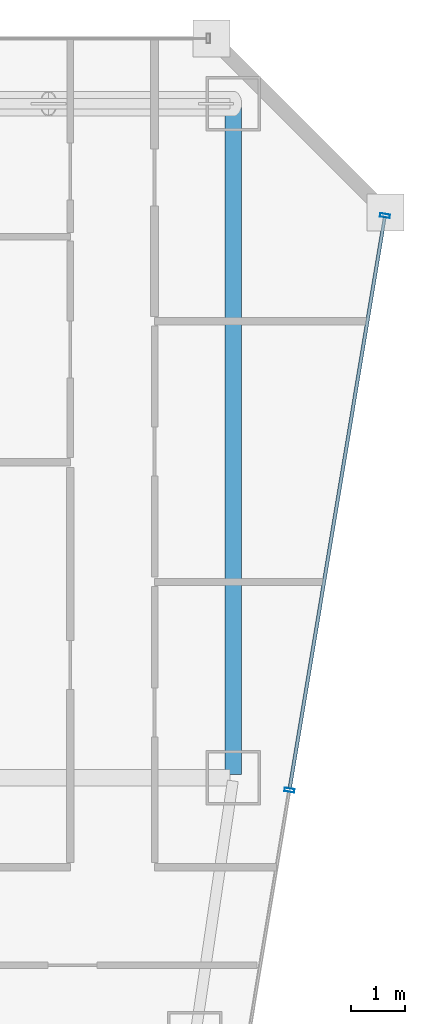
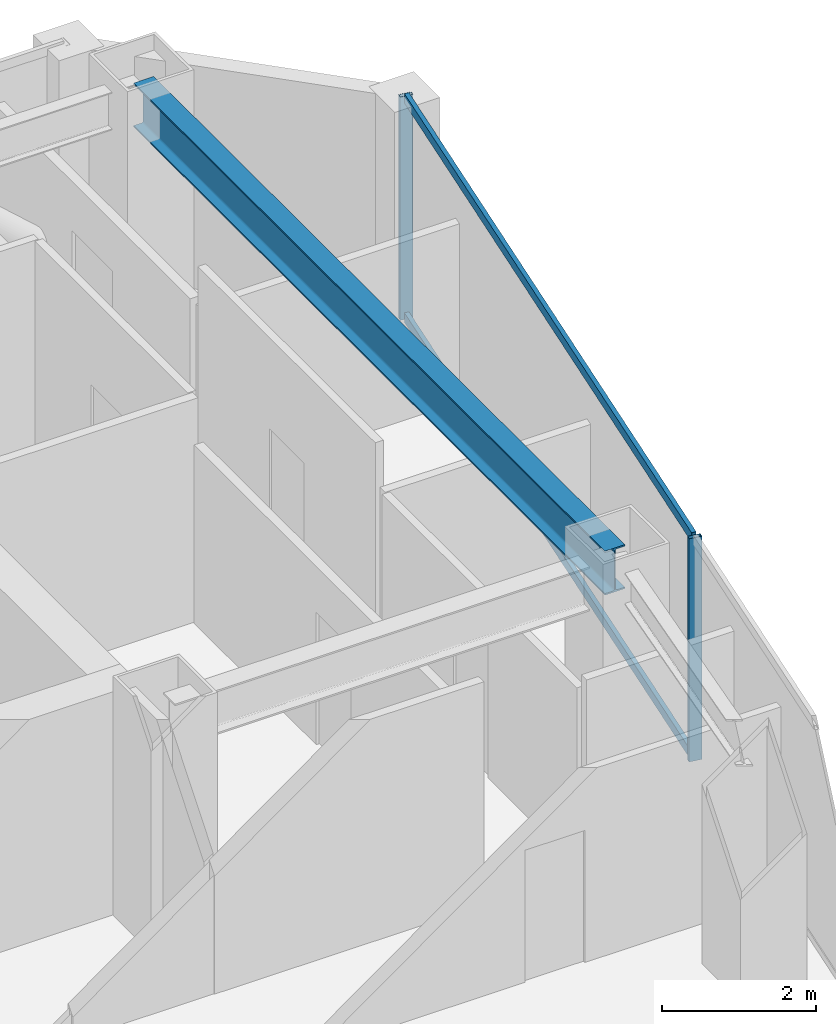
# One storey, part 27 of 38: 4 members, 1 beam, 1 element without a shape of its own.
"""IFC4 building model written with IfcOpenShell, lengths in metres."""

from ifc_helpers import new_model, si_unit, direction, frame, origin, origin_2d, place, context, subcontext, project, spatial, hollow_rectangle, i_section, extrude, material, material_profile, profile_set, type_object, element, aggregate, save


model = new_model("IFC4")

# Units and contexts
model_context = context("Model", 3, precision=1e-05, world=origin(), true_north=direction((0.0, 1.0)))
body_context = subcontext(model_context, "Body", "Model", "MODEL_VIEW")
ifc_project = project(units=[si_unit("LENGTHUNIT", "METRE"), si_unit("AREAUNIT", "SQUARE_METRE"), si_unit("VOLUMEUNIT", "CUBIC_METRE"), si_unit("PLANEANGLEUNIT", "RADIAN"), si_unit("MASSUNIT", "GRAM", prefix="KILO")], contexts=[model_context])

# Site, building, storey
site_placement = place(None, origin())
site = spatial("IfcSite", under=ifc_project, at=site_placement, CompositionType="ELEMENT")
building_placement = place(site_placement, origin())
building = spatial("IfcBuilding", under=site, at=building_placement, Name="Saevonmaru Cultural Tower", CompositionType="ELEMENT")
storey_placement = place(building_placement, frame((0.0, 0.0, 137.199951171875)))
storey = spatial("IfcBuildingStorey", under=building, at=storey_placement, Name="L29", CompositionType="ELEMENT", Elevation=137.199951171875)

# Beam
ifc_material_1 = material(Name="Steel SM355", Category="steel")
ifc_material_profile_1 = material_profile(ifc_material_1, i_section(OverallWidth=0.300048828125, OverallDepth=0.699951171875, WebThickness=0.012939453125, FlangeThickness=0.02392578125, FilletRadius=0.02587890625, at=origin_2d()), Name="H-700x300x13x24")
ifc_profile_set_1 = profile_set([ifc_material_profile_1], Name="Steel SM355")
beam_type = type_object("IfcBeamType", Name="BM-G-H700", PredefinedType="BEAM", material=ifc_profile_set_1)
beam_placement = place(storey_placement, frame((53.199951171875, 54.739990234375, 3.199951171875), z_axis=(0.0, -1.0, 0.0), x_axis=(1.0, 0.0, 0.0)))
element("IfcBeam", 1, at=beam_placement, inside=storey, type_object=beam_type, Name="L29 Spine Transverse Girder E", PredefinedType="BEAM", context=body_context, shape_type="SweptSolid", body=[
    extrude(i_section(OverallWidth=0.300048828125, OverallDepth=0.699951171875, WebThickness=0.012939453125, FlangeThickness=0.02392578125, FilletRadius=0.02587890625, at=origin_2d()), origin(), (0.0, 0.0, 1.0), 12.280029296875),
])

# Curtain wall, members
ifc_material_2 = material(Name="Satin Bronze Anodised Aluminium", Category="aluminium")
curtain_wall_type = type_object("IfcCurtainWallType", Name="CW-TYP-A", PredefinedType="NOTDEFINED", material=ifc_material_2)
curtain_wall_placement = place(storey_placement, origin())
curtain_wall = element("IfcCurtainWall", 2, at=curtain_wall_placement, inside=storey, type_object=curtain_wall_type, Name="L29 Unitised Curtain Wall E8", PredefinedType="NOTDEFINED")
ifc_material_profile_2 = material_profile(ifc_material_2, hollow_rectangle(XDim=0.06494140625, YDim=0.179931640625, WallThickness=0.00390625, at=origin_2d()), Name="ALU-MULL-180x65x4")
ifc_profile_set_2 = profile_set([ifc_material_profile_2], Name="Satin Bronze Anodised Aluminium")
member_type_1 = type_object("IfcMemberType", Name="ML-CW-180x65", PredefinedType="MULLION", material=ifc_profile_set_2)
member_1_placement = place(storey_placement, frame((54.23291015625, 42.17041015625, 0.0), z_axis=(0.0, 0.0, 1.0), x_axis=(0.163998702345, 0.986460554523, 0.0)))
member_1 = element("IfcMember", 3, at=member_1_placement, type_object=member_type_1, Name="CW-TW-L29-E8 mullion 4", PredefinedType="MULLION", context=body_context, shape_type="SweptSolid", body=[
    extrude(hollow_rectangle(XDim=0.06494140625, YDim=0.179931640625, WallThickness=0.00390625, at=origin_2d()), origin(), (0.0, 0.0, 1.0), 3.550048828125),
])
member_2_placement = place(storey_placement, frame((55.990234375, 52.74072265625, 0.0), z_axis=(0.0, 0.0, 1.0), x_axis=(0.163998702345, 0.986460554523, 0.0)))
member_2 = element("IfcMember", 4, at=member_2_placement, type_object=member_type_1, Name="CW-TW-L29-E8 mullion 5", PredefinedType="MULLION", context=body_context, shape_type="SweptSolid", body=[
    extrude(hollow_rectangle(XDim=0.06494140625, YDim=0.179931640625, WallThickness=0.00390625, at=origin_2d()), origin(), (0.0, 0.0, 1.0), 3.550048828125),
])
ifc_material_profile_3 = material_profile(ifc_material_2, hollow_rectangle(XDim=0.06494140625, YDim=0.14990234375, WallThickness=0.00390625, at=origin_2d()), Name="ALU-TRAN-150x65x4")
ifc_profile_set_3 = profile_set([ifc_material_profile_3], Name="Satin Bronze Anodised Aluminium")
member_type_2 = type_object("IfcMemberType", Name="TR-CW-150x65", PredefinedType="USERDEFINED", material=ifc_profile_set_3)
member_3_placement = place(storey_placement, frame((54.23828125, 42.202392578125, 0.032470703125), z_axis=(0.163990079074, 0.9864619881, 0.0), x_axis=(-0.9864619881, 0.163990079074, 0.0)))
member_3 = element("IfcMember", 5, at=member_3_placement, type_object=member_type_2, Name="CW-TW-L29-E8 transom 4.1", ObjectType="TRANSOM", PredefinedType="USERDEFINED", context=body_context, shape_type="SweptSolid", body=[
    extrude(hollow_rectangle(XDim=0.06494140625, YDim=0.14990234375, WallThickness=0.00390625, at=origin_2d()), origin(), (0.0, 0.0, 1.0), 10.650634765625),
])
member_4_placement = place(storey_placement, frame((54.23828125, 42.202392578125, 3.517578125), z_axis=(0.163990079074, 0.9864619881, 0.0), x_axis=(-0.9864619881, 0.163990079074, 0.0)))
member_4 = element("IfcMember", 6, at=member_4_placement, type_object=member_type_2, Name="CW-TW-L29-E8 transom 4.2", ObjectType="TRANSOM", PredefinedType="USERDEFINED", context=body_context, shape_type="SweptSolid", body=[
    extrude(hollow_rectangle(XDim=0.06494140625, YDim=0.14990234375, WallThickness=0.00390625, at=origin_2d()), origin(), (0.0, 0.0, 1.0), 10.650634765625),
])
aggregate(curtain_wall, [member_1, member_2, member_3, member_4])

save(model, "model.ifc")
